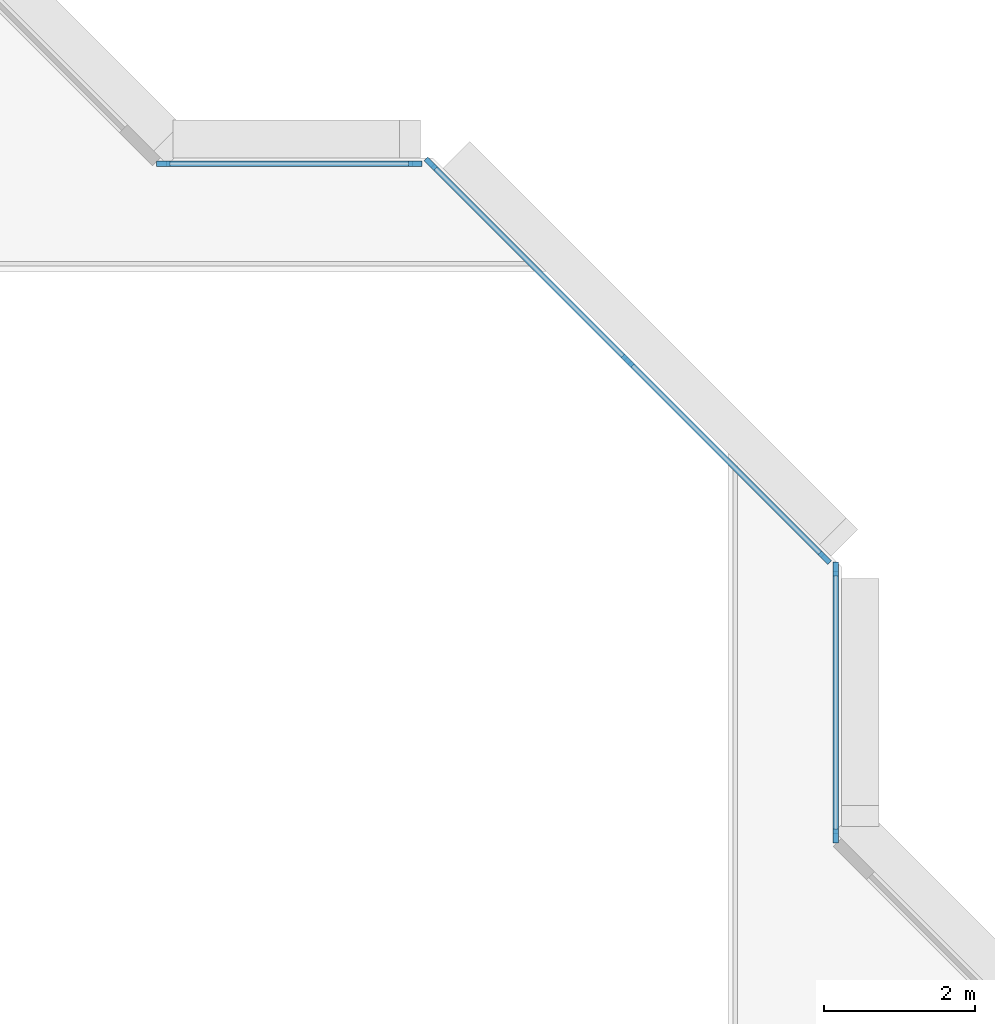
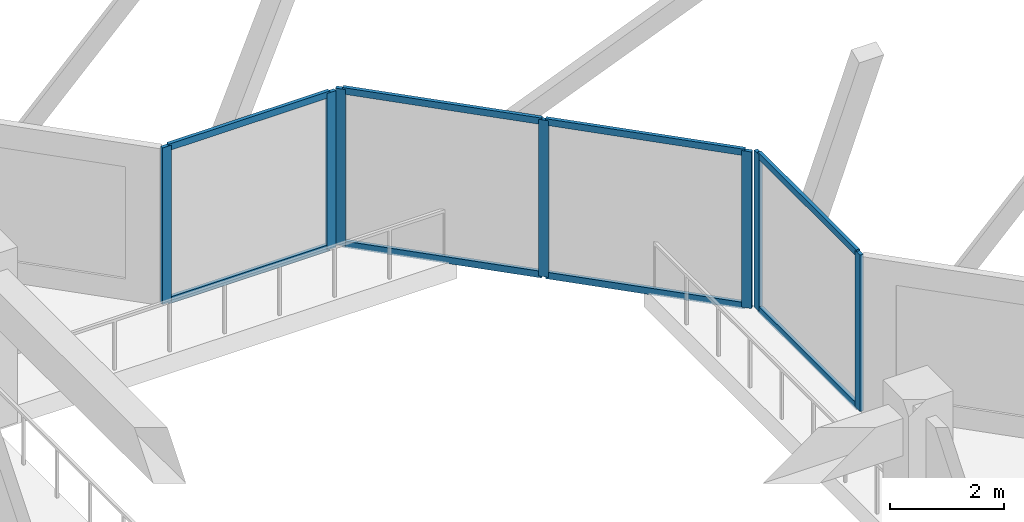
# One storey, part 2 of 14: 15 members, 3 elements without a shape of their own.
"""IFC4 building model written with IfcOpenShell, lengths in metres."""

from ifc_helpers import new_model, si_unit, direction, frame, origin, origin_2d, place, context, subcontext, project, spatial, rectangle, extrude, material, layer, layer_set, material_profile, profile_set, type_object, element, aggregate, save


model = new_model("IFC4")

# Units and contexts
model_context = context("Model", 3, precision=1e-05, world=origin(), true_north=direction((0.0, 1.0)))
body_context = subcontext(model_context, "Body", "Model", "MODEL_VIEW")
ifc_project = project(units=[si_unit("LENGTHUNIT", "METRE"), si_unit("AREAUNIT", "SQUARE_METRE"), si_unit("VOLUMEUNIT", "CUBIC_METRE"), si_unit("PLANEANGLEUNIT", "RADIAN"), si_unit("MASSUNIT", "GRAM", prefix="KILO")], contexts=[model_context])

# Site, building, storey
site_placement = place(None, origin())
site = spatial("IfcSite", under=ifc_project, at=site_placement, CompositionType="ELEMENT")
building_placement = place(site_placement, origin())
building = spatial("IfcBuilding", under=site, at=building_placement, Name="Chenar Terraces", CompositionType="ELEMENT")
storey_placement = place(building_placement, frame((0.0, 0.0, 157.39990234375)))
storey = spatial("IfcBuildingStorey", under=building, at=storey_placement, Name="L35", CompositionType="ELEMENT", Elevation=157.39990234375)

# Curtain wall, members
ifc_material_1 = material(Name="Aluminium framed glazing", Category="aluminium")
ifc_layer = layer(ifc_material_1, 0.14990234375)
ifc_layer_set = layer_set([ifc_layer], Name="Aluminium framed glazing")
curtain_wall_type = type_object("IfcCurtainWallType", Name="Atrium mid-zone curtain wall", PredefinedType="NOTDEFINED", material=ifc_layer_set)
placement = place(storey_placement, origin())
curtain_wall_1 = element("IfcCurtainWall", 1, at=placement, inside=storey, type_object=curtain_wall_type, Name="Atrium mid-zone curtain wall", PredefinedType="NOTDEFINED")
ifc_material_2 = material(Name="Aluminium", Category="aluminium")
ifc_material_profile_1 = material_profile(ifc_material_2, rectangle(XDim=0.070068359375, YDim=0.179931640625, at=origin_2d()), Name="Atrium mid-zone glazing mullion 70 x 180")
ifc_profile_set_1 = profile_set([ifc_material_profile_1], Name="Aluminium")
member_type_1 = type_object("IfcMemberType", Name="Atrium mid-zone glazing mullion 70 x 180", PredefinedType="MULLION", material=ifc_profile_set_1)
member_1_placement = place(storey_placement, frame((37.425048828125, 28.534912109375, 0.0), z_axis=(0.0, 0.0, 1.0), x_axis=(-1.0, 0.0, 0.0)))
member_1 = element("IfcMember", 2, at=member_1_placement, type_object=member_type_1, Name="CW7-1 mullion 1", PredefinedType="MULLION", context=body_context, shape_type="SweptSolid", body=[
    extrude(rectangle(XDim=0.070068359375, YDim=0.179931640625, at=origin_2d()), origin(), (0.0, 0.0, 1.0), 3.35009765625),
])
member_2_placement = place(storey_placement, frame((37.425048828125, 32.06494140625, 0.0), z_axis=(0.0, 0.0, 1.0), x_axis=(-1.0, 0.0, 0.0)))
member_2 = element("IfcMember", 3, at=member_2_placement, type_object=member_type_1, Name="CW7-1 mullion 2", PredefinedType="MULLION", context=body_context, shape_type="SweptSolid", body=[
    extrude(rectangle(XDim=0.070068359375, YDim=0.179931640625, at=origin_2d()), origin(), (0.0, 0.0, 1.0), 3.35009765625),
])

curtain_wall_2 = element("IfcCurtainWall", 4, at=placement, inside=storey, type_object=curtain_wall_type, Name="Atrium mid-zone curtain wall", PredefinedType="NOTDEFINED")
member_3_placement = place(storey_placement, frame((37.28076171875, 32.213134765625, 0.0), z_axis=(0.0, 0.0, 1.0), x_axis=(-0.707106781187, -0.707106781187, 0.0)))
member_3 = element("IfcMember", 5, at=member_3_placement, type_object=member_type_1, Name="CW7-2 mullion 1", PredefinedType="MULLION", context=body_context, shape_type="SweptSolid", body=[
    extrude(rectangle(XDim=0.070068359375, YDim=0.179931640625, at=origin_2d()), origin(), (0.0, 0.0, 1.0), 3.35009765625),
])
member_4_placement = place(storey_placement, frame((34.67626953125, 34.817626953125, 0.0), z_axis=(0.0, 0.0, 1.0), x_axis=(-0.707106781187, -0.707106781187, 0.0)))
member_4 = element("IfcMember", 6, at=member_4_placement, type_object=member_type_1, Name="CW7-2 mullion 2", PredefinedType="MULLION", context=body_context, shape_type="SweptSolid", body=[
    extrude(rectangle(XDim=0.070068359375, YDim=0.179931640625, at=origin_2d()), origin(), (0.0, 0.0, 1.0), 3.35009765625),
])
member_5_placement = place(storey_placement, frame((32.07177734375, 37.42236328125, 0.0), z_axis=(0.0, 0.0, 1.0), x_axis=(-0.707106781187, -0.707106781187, 0.0)))
member_5 = element("IfcMember", 7, at=member_5_placement, type_object=member_type_1, Name="CW7-2 mullion 3", PredefinedType="MULLION", context=body_context, shape_type="SweptSolid", body=[
    extrude(rectangle(XDim=0.070068359375, YDim=0.179931640625, at=origin_2d()), origin(), (0.0, 0.0, 1.0), 3.35009765625),
])

curtain_wall_3 = element("IfcCurtainWall", 8, at=placement, inside=storey, type_object=curtain_wall_type, Name="Atrium mid-zone curtain wall", PredefinedType="NOTDEFINED")
member_6_placement = place(storey_placement, frame((31.864990234375, 37.425048828125, 0.0), z_axis=(0.0, 0.0, 1.0), x_axis=(0.0, -1.0, 0.0)))
member_6 = element("IfcMember", 9, at=member_6_placement, type_object=member_type_1, Name="CW7-3 mullion 1", PredefinedType="MULLION", context=body_context, shape_type="SweptSolid", body=[
    extrude(rectangle(XDim=0.070068359375, YDim=0.179931640625, at=origin_2d()), origin(), (0.0, 0.0, 1.0), 3.35009765625),
])
member_7_placement = place(storey_placement, frame((28.534912109375, 37.425048828125, 0.0), z_axis=(0.0, 0.0, 1.0), x_axis=(0.0, -1.0, 0.0)))
member_7 = element("IfcMember", 10, at=member_7_placement, type_object=member_type_1, Name="CW7-3 mullion 2", PredefinedType="MULLION", context=body_context, shape_type="SweptSolid", body=[
    extrude(rectangle(XDim=0.070068359375, YDim=0.179931640625, at=origin_2d()), origin(), (0.0, 0.0, 1.0), 3.35009765625),
])

# Member
ifc_material_3 = material(Name="Aluminium", Category="aluminium")
ifc_material_profile_2 = material_profile(ifc_material_3, rectangle(XDim=0.070068359375, YDim=0.139892578125, at=origin_2d()), Name="Atrium mid-zone glazing transom 70 x 140")
ifc_profile_set_2 = profile_set([ifc_material_profile_2], Name="Aluminium")
member_type_2 = type_object("IfcMemberType", Name="Atrium mid-zone glazing transom 70 x 140", PredefinedType="USERDEFINED", material=ifc_profile_set_2)
member_8_placement = place(storey_placement, frame((37.425048828125, 28.570068359375, 0.03515625), z_axis=(0.0, 1.0, 0.0), x_axis=(-1.0, 0.0, 0.0)))
member_8 = element("IfcMember", 11, at=member_8_placement, type_object=member_type_2, Name="CW7-1 transom 1.1", ObjectType="TRANSOM", PredefinedType="USERDEFINED", context=body_context, shape_type="SweptSolid", body=[
    extrude(rectangle(XDim=0.070068359375, YDim=0.139892578125, at=origin_2d()), origin(), (0.0, 0.0, 1.0), 3.4599609375),
])

member_9_placement = place(storey_placement, frame((37.425048828125, 28.570068359375, 3.315185546875), z_axis=(0.0, 1.0, 0.0), x_axis=(-1.0, 0.0, 0.0)))
member_9 = element("IfcMember", 12, at=member_9_placement, type_object=member_type_2, Name="CW7-1 transom 1.2", ObjectType="TRANSOM", PredefinedType="USERDEFINED", context=body_context, shape_type="SweptSolid", body=[
    extrude(rectangle(XDim=0.070068359375, YDim=0.139892578125, at=origin_2d()), origin(), (0.0, 0.0, 1.0), 3.4599609375),
])

aggregate(curtain_wall_1, [member_1, member_2, member_8, member_9])

member_10_placement = place(storey_placement, frame((37.256103515625, 32.23779296875, 0.03515625), z_axis=(-0.707106781187, 0.707106781187, 0.0), x_axis=(-0.707106781187, -0.707106781187, 0.0)))
member_10 = element("IfcMember", 13, at=member_10_placement, type_object=member_type_2, Name="CW7-2 transom 1.1", ObjectType="TRANSOM", PredefinedType="USERDEFINED", context=body_context, shape_type="SweptSolid", body=[
    extrude(rectangle(XDim=0.070068359375, YDim=0.139892578125, at=origin_2d()), origin(), (0.0, 0.0, 1.0), 3.613525390625),
])

member_11_placement = place(storey_placement, frame((37.256103515625, 32.23779296875, 3.315185546875), z_axis=(-0.707106781187, 0.707106781187, 0.0), x_axis=(-0.707106781187, -0.707106781187, 0.0)))
member_11 = element("IfcMember", 14, at=member_11_placement, type_object=member_type_2, Name="CW7-2 transom 1.2", ObjectType="TRANSOM", PredefinedType="USERDEFINED", context=body_context, shape_type="SweptSolid", body=[
    extrude(rectangle(XDim=0.070068359375, YDim=0.139892578125, at=origin_2d()), origin(), (0.0, 0.0, 1.0), 3.613525390625),
])

member_12_placement = place(storey_placement, frame((34.651611328125, 34.842529296875, 0.03515625), z_axis=(-0.707140563131, 0.707072997628, 0.0), x_axis=(-0.707072997628, -0.707140563131, 0.0)))
member_12 = element("IfcMember", 15, at=member_12_placement, type_object=member_type_2, Name="CW7-2 transom 2.1", ObjectType="TRANSOM", PredefinedType="USERDEFINED", context=body_context, shape_type="SweptSolid", body=[
    extrude(rectangle(XDim=0.070068359375, YDim=0.139892578125, at=origin_2d()), origin(), (0.0, 0.0, 1.0), 3.61328125),
])

member_13_placement = place(storey_placement, frame((34.651611328125, 34.842529296875, 3.315185546875), z_axis=(-0.707140563131, 0.707072997628, 0.0), x_axis=(-0.707072997628, -0.707140563131, 0.0)))
member_13 = element("IfcMember", 16, at=member_13_placement, type_object=member_type_2, Name="CW7-2 transom 2.2", ObjectType="TRANSOM", PredefinedType="USERDEFINED", context=body_context, shape_type="SweptSolid", body=[
    extrude(rectangle(XDim=0.070068359375, YDim=0.139892578125, at=origin_2d()), origin(), (0.0, 0.0, 1.0), 3.61328125),
])

aggregate(curtain_wall_2, [member_3, member_4, member_5, member_10, member_11, member_12, member_13])

member_14_placement = place(storey_placement, frame((31.830078125, 37.425048828125, 0.03515625), z_axis=(-1.0, 0.0, 0.0), x_axis=(0.0, -1.0, 0.0)))
member_14 = element("IfcMember", 17, at=member_14_placement, type_object=member_type_2, Name="CW7-3 transom 1.1", ObjectType="TRANSOM", PredefinedType="USERDEFINED", context=body_context, shape_type="SweptSolid", body=[
    extrude(rectangle(XDim=0.070068359375, YDim=0.139892578125, at=origin_2d()), origin(), (0.0, 0.0, 1.0), 3.260009765625),
])

member_15_placement = place(storey_placement, frame((31.830078125, 37.425048828125, 3.315185546875), z_axis=(-1.0, 0.0, 0.0), x_axis=(0.0, -1.0, 0.0)))
member_15 = element("IfcMember", 18, at=member_15_placement, type_object=member_type_2, Name="CW7-3 transom 1.2", ObjectType="TRANSOM", PredefinedType="USERDEFINED", context=body_context, shape_type="SweptSolid", body=[
    extrude(rectangle(XDim=0.070068359375, YDim=0.139892578125, at=origin_2d()), origin(), (0.0, 0.0, 1.0), 3.260009765625),
])

aggregate(curtain_wall_3, [member_6, member_7, member_14, member_15])

save(model, "model.ifc")
